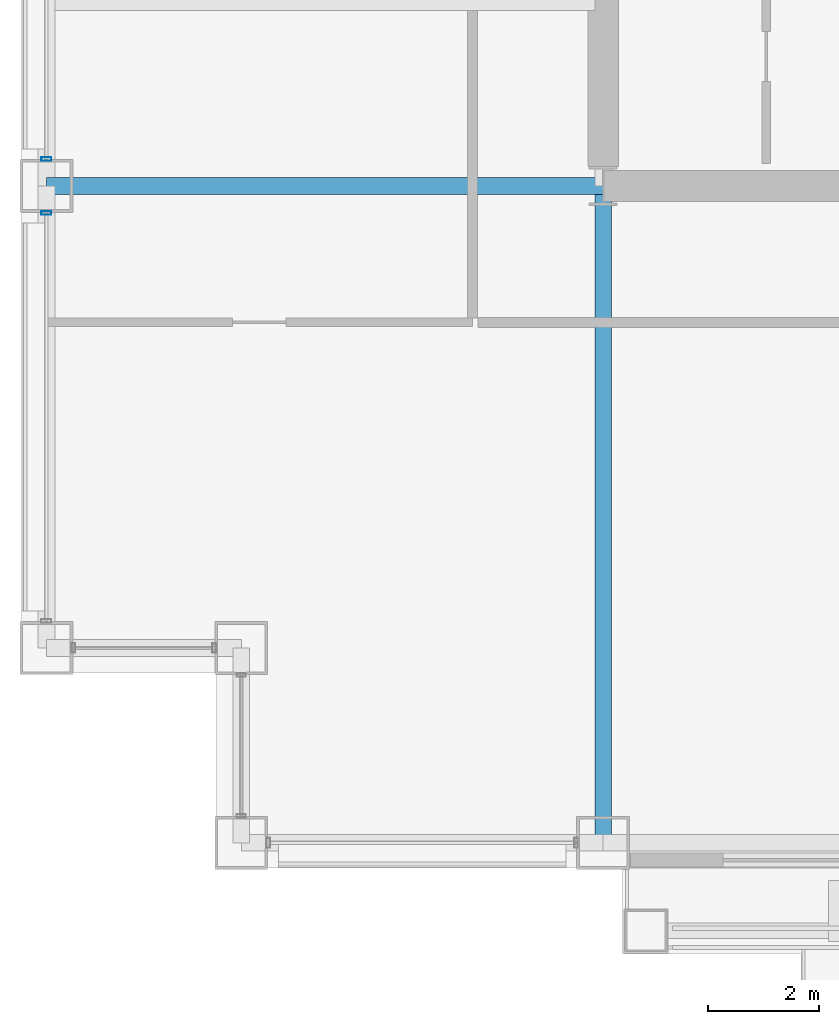
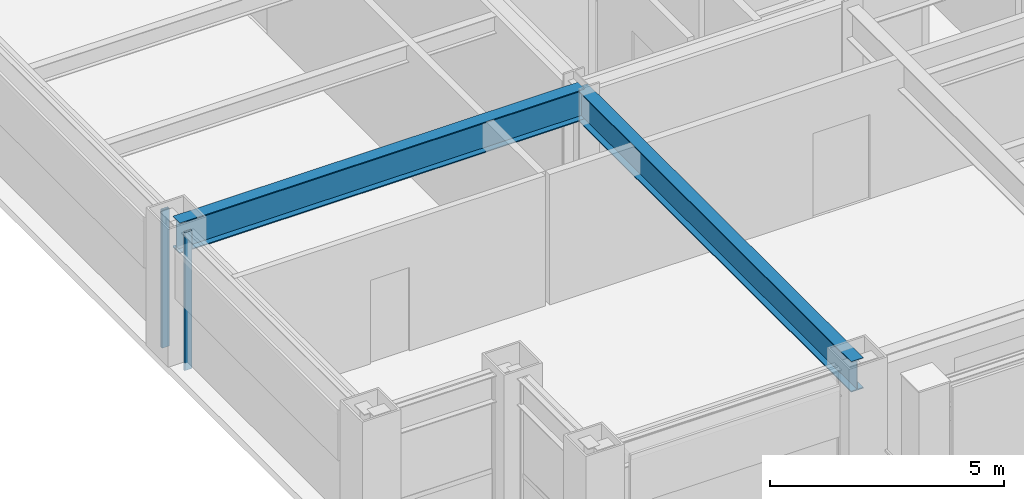
# One storey, part 4 of 31: 2 beams, 2 members, 2 elements without a shape of their own.
"""IFC4 building model written with IfcOpenShell, lengths in metres."""

from ifc_helpers import new_model, si_unit, direction, frame, origin, origin_2d, place, context, subcontext, project, spatial, hollow_rectangle, i_section, extrude, material, layer, layer_set, material_profile, profile_set, type_object, element, aggregate, save


model = new_model("IFC4")

# Units and contexts
model_context = context("Model", 3, precision=1e-05, world=origin(), true_north=direction((0.0, 1.0)))
body_context = subcontext(model_context, "Body", "Model", "MODEL_VIEW")
ifc_project = project(units=[si_unit("LENGTHUNIT", "METRE"), si_unit("AREAUNIT", "SQUARE_METRE"), si_unit("VOLUMEUNIT", "CUBIC_METRE"), si_unit("PLANEANGLEUNIT", "RADIAN"), si_unit("MASSUNIT", "GRAM", prefix="KILO")], contexts=[model_context])

# Site, building, storey
site_placement = place(None, origin())
site = spatial("IfcSite", under=ifc_project, at=site_placement, CompositionType="ELEMENT")
building_placement = place(site_placement, origin())
building = spatial("IfcBuilding", under=site, at=building_placement, Name="Brelmoor Portico Tower", CompositionType="ELEMENT")
storey_placement = place(building_placement, frame((0.0, 0.0, 27.60009765625)))
storey = spatial("IfcBuildingStorey", under=building, at=storey_placement, Name="L06", CompositionType="ELEMENT", Elevation=27.60009765625)

# Beams
ifc_material_1 = material(Name="Steel Q355B", Category="steel")
ifc_material_profile_1 = material_profile(ifc_material_1, i_section(OverallWidth=0.300048828125, OverallDepth=0.800048828125, WebThickness=0.013916015625, FlangeThickness=0.02587890625, at=origin_2d()), Name="HN 800x300x14x26")
ifc_profile_set_1 = profile_set([ifc_material_profile_1], Name="Steel Q355B")
beam_type = type_object("IfcBeamType", Name="BM-PG-800", PredefinedType="BEAM", material=ifc_profile_set_1)
beam_1_placement = place(storey_placement, frame((-14.550048828125, -21.550048828125, 3.0), z_axis=(0.0, 1.0, 0.0), x_axis=(-1.0, 0.0, 0.0)))
element("IfcBeam", 1, at=beam_1_placement, inside=storey, type_object=beam_type, Name="L06 Primary Floor Girder PG-03", PredefinedType="BEAM", context=body_context, shape_type="SweptSolid", body=[
    extrude(i_section(OverallWidth=0.300048828125, OverallDepth=0.800048828125, WebThickness=0.013916015625, FlangeThickness=0.02587890625, at=origin_2d()), origin(), (0.0, 0.0, 1.0), 11.800048828125),
])
beam_2_placement = place(storey_placement, frame((-24.550048828125, -9.75, 3.0), z_axis=(1.0, 0.0, 0.0), x_axis=(0.0, 1.0, 0.0)))
element("IfcBeam", 2, at=beam_2_placement, inside=storey, type_object=beam_type, Name="L06 Primary Floor Girder PG-19", PredefinedType="BEAM", context=body_context, shape_type="SweptSolid", body=[
    extrude(i_section(OverallWidth=0.300048828125, OverallDepth=0.800048828125, WebThickness=0.013916015625, FlangeThickness=0.02587890625, at=origin_2d()), origin(), (0.0, 0.0, 1.0), 10.0),
])

# Curtain wall, member
ifc_material_2 = material(Name="Anodised Aluminium Alloy 6063-T6", Category="aluminium")
ifc_layer = layer(ifc_material_2, 0.179931640625)
ifc_layer_set = layer_set([ifc_layer], Name="Anodised Aluminium Alloy 6063-T6")
curtain_wall_type = type_object("IfcCurtainWallType", Name="CW-TOWER-Z1-XB", PredefinedType="NOTDEFINED", material=ifc_layer_set)
curtain_wall_1_placement = place(storey_placement, origin())
curtain_wall_1 = element("IfcCurtainWall", 3, at=curtain_wall_1_placement, inside=storey, type_object=curtain_wall_type, Name="L06 Curtain Wall CW-L06-03-1", PredefinedType="NOTDEFINED")
ifc_material_profile_2 = material_profile(ifc_material_2, hollow_rectangle(XDim=0.06494140625, YDim=0.179931640625, WallThickness=0.00390625, at=origin_2d()), Name="ALU MULLION 65x180")
ifc_profile_set_2 = profile_set([ifc_material_profile_2], Name="Anodised Aluminium Alloy 6063-T6")
member_type = type_object("IfcMemberType", Name="MB-CW-MULL-180", PredefinedType="MULLION", material=ifc_profile_set_2)
member_1_placement = place(storey_placement, frame((-24.550048828125, -10.235107421875, -0.2001953125), z_axis=(0.0, 0.0, 1.0), x_axis=(0.0, 1.0, 0.0)))
member_1 = element("IfcMember", 4, at=member_1_placement, type_object=member_type, Name="CW-L06-03-1 Mullion 01", PredefinedType="MULLION", context=body_context, shape_type="SweptSolid", body=[
    extrude(hollow_rectangle(XDim=0.06494140625, YDim=0.179931640625, WallThickness=0.00390625, at=origin_2d()), origin(), (0.0, 0.0, 1.0), 3.60009765625),
])
aggregate(curtain_wall_1, [member_1])

curtain_wall_2_placement = place(storey_placement, origin())
curtain_wall_2 = element("IfcCurtainWall", 5, at=curtain_wall_2_placement, inside=storey, type_object=curtain_wall_type, Name="L06 Curtain Wall CW-L06-03-2", PredefinedType="NOTDEFINED")
member_2_placement = place(storey_placement, frame((-24.550048828125, -9.264892578125, -0.2001953125), z_axis=(0.0, 0.0, 1.0), x_axis=(0.0, 1.0, 0.0)))
member_2 = element("IfcMember", 6, at=member_2_placement, type_object=member_type, Name="CW-L06-03-2 Mullion 00", PredefinedType="MULLION", context=body_context, shape_type="SweptSolid", body=[
    extrude(hollow_rectangle(XDim=0.06494140625, YDim=0.179931640625, WallThickness=0.00390625, at=origin_2d()), origin(), (0.0, 0.0, 1.0), 3.60009765625),
])
aggregate(curtain_wall_2, [member_2])

save(model, "model.ifc")
